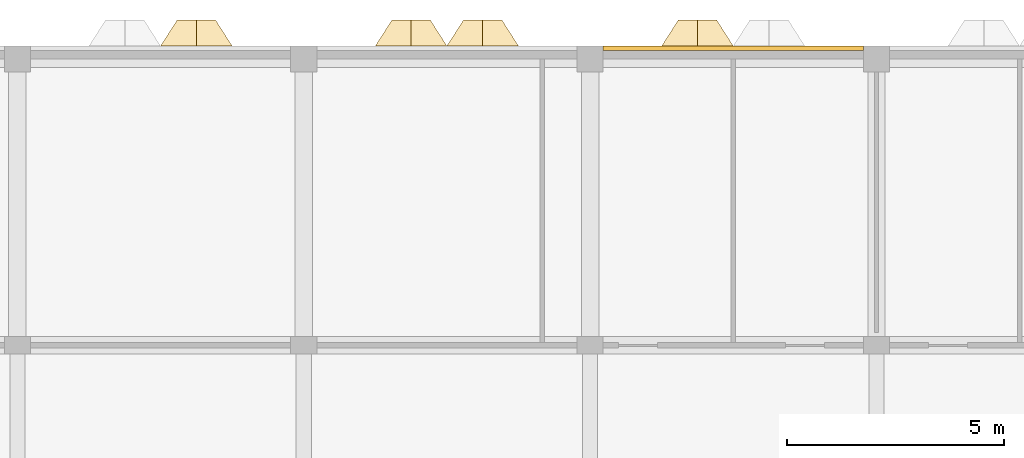
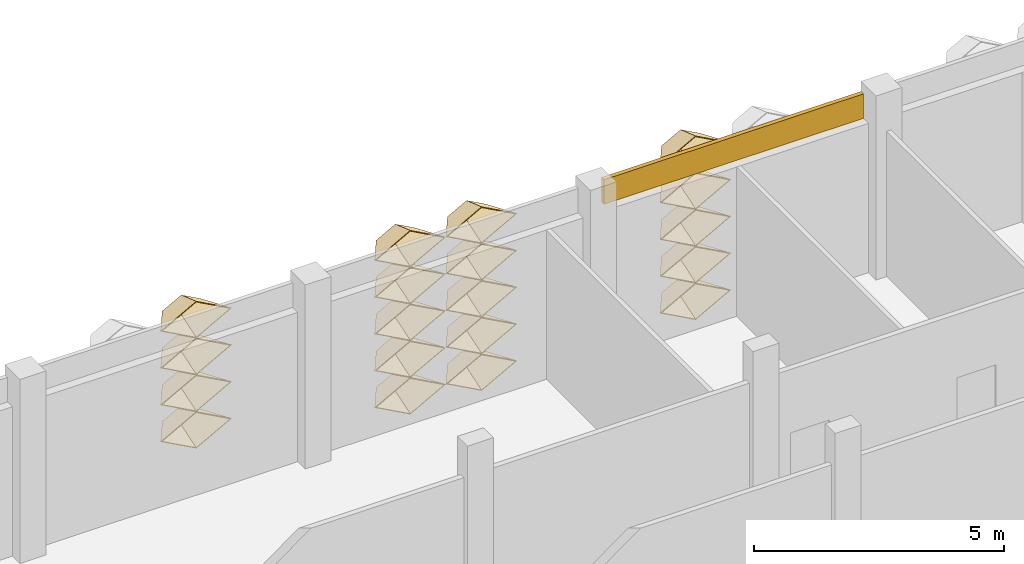
# One storey, part 93 of 109: 20 coverings.
"""IFC4 building model written with IfcOpenShell, lengths in metres."""

from ifc_helpers import new_model, entity, si_unit, direction, frame, frame_2d, origin, place, context, subcontext, project, spatial, rectangle, extrude, material, layer, layer_set, type_object, element, save


model = new_model("IFC4")

# Units and contexts
model_context = context("Model", 3, precision=1e-05, world=origin(), true_north=direction((0.0, 1.0)))
body_context = subcontext(model_context, "Body", "Model", "MODEL_VIEW")
ifc_project = project(units=[si_unit("LENGTHUNIT", "METRE"), si_unit("AREAUNIT", "SQUARE_METRE"), si_unit("VOLUMEUNIT", "CUBIC_METRE"), si_unit("PLANEANGLEUNIT", "RADIAN"), si_unit("MASSUNIT", "GRAM", prefix="KILO")], contexts=[model_context])

# Site, building, storey
site_placement = place(None, origin())
site = spatial("IfcSite", under=ifc_project, at=site_placement, CompositionType="ELEMENT")
building_placement = place(site_placement, origin())
building = spatial("IfcBuilding", under=site, at=building_placement, Name="Lantern Court Research Institute", CompositionType="ELEMENT")
storey_placement = place(building_placement, frame((0.0, 0.0, 14.39990234375)))
storey = spatial("IfcBuildingStorey", under=building, at=storey_placement, Name="L03", CompositionType="ELEMENT", Elevation=14.39990234375)

# Coverings
ifc_material_1 = material(Name="Aluminium composite panel with mineral wool insulation", Category="aluminium")
ifc_layer_1 = layer(ifc_material_1, 0.10009765625)
ifc_layer_set_1 = layer_set([ifc_layer_1], Name="Aluminium composite panel with mineral wool insulation")
covering_type_1 = type_object("IfcCoveringType", Name="Edge fascia panel 100 aluminium faced", PredefinedType="CLADDING", material=ifc_layer_set_1)
covering_1_placement = place(storey_placement, frame((33.300048828125, 99.25, 3.650146484375), z_axis=(0.0, 0.0, 1.0), x_axis=(1.0, 0.0, 0.0)))
element("IfcCovering", 1, at=covering_1_placement, inside=storey, type_object=covering_type_1, Name="Edge fascia V6N L03 05", PredefinedType="CLADDING", context=body_context, shape_type="SweptSolid", body=[
    extrude(rectangle(XDim=6.0, YDim=0.10009765625, at=frame_2d((3.0, 0.0))), origin(), (0.0, 0.0, 1.0), 0.599853515625),
])
ifc_material_2 = material(Name="Anodised aluminium", Category="aluminium")
ifc_layer_2 = layer(ifc_material_2, 0.01611328125)
ifc_layer_set_2 = layer_set([ifc_layer_2], Name="Anodised aluminium")
covering_type_2 = type_object("IfcCoveringType", Name="Fin cassette 1650 x 900 x 600 aluminium", PredefinedType="CLADDING", material=ifc_layer_set_2)
covering_2_placement = place(storey_placement, frame((28.875, 99.300048828125, 0.4501953125), z_axis=(0.0, 1.0, 0.0), x_axis=(-1.0, 0.0, 0.0)))
cartesian_point_1 = entity("IfcCartesianPoint", [0.824951171875, 0.0])
cartesian_point_2 = entity("IfcCartesianPoint", [0.79150390625, 0.0])
cartesian_point_3 = entity("IfcCartesianPoint", [0.44189453125, 0.0])
cartesian_point_4 = entity("IfcCartesianPoint", [0.43359375, 0.0])
element("IfcCovering", 2, at=covering_2_placement, inside=storey, type_object=covering_type_2, Name="Fin cassette V6N-L03 1.18", PredefinedType="CLADDING", context=body_context, shape_type="SweptSolid", body=[
    entity("IfcExtrudedAreaSolidTapered", entity("IfcArbitraryProfileDefWithVoids", "AREA", None, entity("IfcPolyline", [cartesian_point_1, entity("IfcCartesianPoint", [0.0, 0.449951171875]), entity("IfcCartesianPoint", [-0.824951171875, 0.0]), entity("IfcCartesianPoint", [0.0, -0.449951171875]), cartesian_point_1]), [entity("IfcPolyline", [cartesian_point_2, entity("IfcCartesianPoint", [0.0, 0.431884765625]), entity("IfcCartesianPoint", [-0.79150390625, 0.0]), entity("IfcCartesianPoint", [0.0, -0.431884765625]), cartesian_point_2])]), entity("IfcAxis2Placement3D", entity("IfcCartesianPoint", [0.0, 0.0, 0.0])), entity("IfcDirection", [0.0, 0.0, 1.0]), 0.60009765625, entity("IfcArbitraryProfileDefWithVoids", "AREA", None, entity("IfcPolyline", [cartesian_point_3, entity("IfcCartesianPoint", [0.0, 0.240966796875]), entity("IfcCartesianPoint", [-0.44189453125, 0.0]), entity("IfcCartesianPoint", [0.0, -0.240966796875]), cartesian_point_3]), [entity("IfcPolyline", [cartesian_point_4, entity("IfcCartesianPoint", [0.0, 0.236572265625]), entity("IfcCartesianPoint", [-0.43359375, 0.0]), entity("IfcCartesianPoint", [0.0, -0.236572265625]), cartesian_point_4])])),
])
covering_3_placement = place(storey_placement, frame((30.52490234375, 99.300048828125, 0.4501953125), z_axis=(0.0, 1.0, 0.0), x_axis=(-1.0, 0.0, 0.0)))
cartesian_point_5 = entity("IfcCartesianPoint", [0.824951171875, 0.0])
cartesian_point_6 = entity("IfcCartesianPoint", [0.79150390625, 0.0])
cartesian_point_7 = entity("IfcCartesianPoint", [0.44189453125, 0.0])
cartesian_point_8 = entity("IfcCartesianPoint", [0.43359375, 0.0])
element("IfcCovering", 3, at=covering_3_placement, inside=storey, type_object=covering_type_2, Name="Fin cassette V6N-L03 1.19", PredefinedType="CLADDING", context=body_context, shape_type="SweptSolid", body=[
    entity("IfcExtrudedAreaSolidTapered", entity("IfcArbitraryProfileDefWithVoids", "AREA", None, entity("IfcPolyline", [cartesian_point_5, entity("IfcCartesianPoint", [0.0, 0.449951171875]), entity("IfcCartesianPoint", [-0.824951171875, 0.0]), entity("IfcCartesianPoint", [0.0, -0.449951171875]), cartesian_point_5]), [entity("IfcPolyline", [cartesian_point_6, entity("IfcCartesianPoint", [0.0, 0.431884765625]), entity("IfcCartesianPoint", [-0.79150390625, 0.0]), entity("IfcCartesianPoint", [0.0, -0.431884765625]), cartesian_point_6])]), entity("IfcAxis2Placement3D", entity("IfcCartesianPoint", [0.0, 0.0, 0.0])), entity("IfcDirection", [0.0, 0.0, 1.0]), 0.60009765625, entity("IfcArbitraryProfileDefWithVoids", "AREA", None, entity("IfcPolyline", [cartesian_point_7, entity("IfcCartesianPoint", [0.0, 0.240966796875]), entity("IfcCartesianPoint", [-0.44189453125, 0.0]), entity("IfcCartesianPoint", [0.0, -0.240966796875]), cartesian_point_7]), [entity("IfcPolyline", [cartesian_point_8, entity("IfcCartesianPoint", [0.0, 0.236572265625]), entity("IfcCartesianPoint", [-0.43359375, 0.0]), entity("IfcCartesianPoint", [0.0, -0.236572265625]), cartesian_point_8])])),
])
covering_4_placement = place(storey_placement, frame((35.47509765625, 99.300048828125, 0.4501953125), z_axis=(0.0, 1.0, 0.0), x_axis=(-1.0, 0.0, 0.0)))
cartesian_point_9 = entity("IfcCartesianPoint", [0.824951171875, 0.0])
cartesian_point_10 = entity("IfcCartesianPoint", [0.79150390625, 0.0])
cartesian_point_11 = entity("IfcCartesianPoint", [0.44189453125, 0.0])
cartesian_point_12 = entity("IfcCartesianPoint", [0.43359375, 0.0])
element("IfcCovering", 4, at=covering_4_placement, inside=storey, type_object=covering_type_2, Name="Fin cassette V6N-L03 1.22", PredefinedType="CLADDING", context=body_context, shape_type="SweptSolid", body=[
    entity("IfcExtrudedAreaSolidTapered", entity("IfcArbitraryProfileDefWithVoids", "AREA", None, entity("IfcPolyline", [cartesian_point_9, entity("IfcCartesianPoint", [0.0, 0.449951171875]), entity("IfcCartesianPoint", [-0.824951171875, 0.0]), entity("IfcCartesianPoint", [0.0, -0.449951171875]), cartesian_point_9]), [entity("IfcPolyline", [cartesian_point_10, entity("IfcCartesianPoint", [0.0, 0.431884765625]), entity("IfcCartesianPoint", [-0.79150390625, 0.0]), entity("IfcCartesianPoint", [0.0, -0.431884765625]), cartesian_point_10])]), entity("IfcAxis2Placement3D", entity("IfcCartesianPoint", [0.0, 0.0, 0.0])), entity("IfcDirection", [0.0, 0.0, 1.0]), 0.60009765625, entity("IfcArbitraryProfileDefWithVoids", "AREA", None, entity("IfcPolyline", [cartesian_point_11, entity("IfcCartesianPoint", [0.0, 0.240966796875]), entity("IfcCartesianPoint", [-0.44189453125, 0.0]), entity("IfcCartesianPoint", [0.0, -0.240966796875]), cartesian_point_11]), [entity("IfcPolyline", [cartesian_point_12, entity("IfcCartesianPoint", [0.0, 0.236572265625]), entity("IfcCartesianPoint", [-0.43359375, 0.0]), entity("IfcCartesianPoint", [0.0, -0.236572265625]), cartesian_point_12])])),
])
covering_5_placement = place(storey_placement, frame((23.925048828125, 99.300048828125, 1.35009765625), z_axis=(0.0, 1.0, 0.0), x_axis=(-1.0, 0.0, 0.0)))
cartesian_point_13 = entity("IfcCartesianPoint", [0.824951171875, 0.0])
cartesian_point_14 = entity("IfcCartesianPoint", [0.79150390625, 0.0])
cartesian_point_15 = entity("IfcCartesianPoint", [0.44189453125, 0.0])
cartesian_point_16 = entity("IfcCartesianPoint", [0.43359375, 0.0])
element("IfcCovering", 5, at=covering_5_placement, inside=storey, type_object=covering_type_2, Name="Fin cassette V6N-L03 2.15", PredefinedType="CLADDING", context=body_context, shape_type="SweptSolid", body=[
    entity("IfcExtrudedAreaSolidTapered", entity("IfcArbitraryProfileDefWithVoids", "AREA", None, entity("IfcPolyline", [cartesian_point_13, entity("IfcCartesianPoint", [0.0, 0.449951171875]), entity("IfcCartesianPoint", [-0.824951171875, 0.0]), entity("IfcCartesianPoint", [0.0, -0.449951171875]), cartesian_point_13]), [entity("IfcPolyline", [cartesian_point_14, entity("IfcCartesianPoint", [0.0, 0.431884765625]), entity("IfcCartesianPoint", [-0.79150390625, 0.0]), entity("IfcCartesianPoint", [0.0, -0.431884765625]), cartesian_point_14])]), entity("IfcAxis2Placement3D", entity("IfcCartesianPoint", [0.0, 0.0, 0.0])), entity("IfcDirection", [0.0, 0.0, 1.0]), 0.60009765625, entity("IfcArbitraryProfileDefWithVoids", "AREA", None, entity("IfcPolyline", [cartesian_point_15, entity("IfcCartesianPoint", [0.0, 0.240966796875]), entity("IfcCartesianPoint", [-0.44189453125, 0.0]), entity("IfcCartesianPoint", [0.0, -0.240966796875]), cartesian_point_15]), [entity("IfcPolyline", [cartesian_point_16, entity("IfcCartesianPoint", [0.0, 0.236572265625]), entity("IfcCartesianPoint", [-0.43359375, 0.0]), entity("IfcCartesianPoint", [0.0, -0.236572265625]), cartesian_point_16])])),
])
covering_6_placement = place(storey_placement, frame((28.875, 99.300048828125, 1.35009765625), z_axis=(0.0, 1.0, 0.0), x_axis=(-1.0, 0.0, 0.0)))
cartesian_point_17 = entity("IfcCartesianPoint", [0.824951171875, 0.0])
cartesian_point_18 = entity("IfcCartesianPoint", [0.79150390625, 0.0])
cartesian_point_19 = entity("IfcCartesianPoint", [0.44189453125, 0.0])
cartesian_point_20 = entity("IfcCartesianPoint", [0.43359375, 0.0])
element("IfcCovering", 6, at=covering_6_placement, inside=storey, type_object=covering_type_2, Name="Fin cassette V6N-L03 2.18", PredefinedType="CLADDING", context=body_context, shape_type="SweptSolid", body=[
    entity("IfcExtrudedAreaSolidTapered", entity("IfcArbitraryProfileDefWithVoids", "AREA", None, entity("IfcPolyline", [cartesian_point_17, entity("IfcCartesianPoint", [0.0, 0.449951171875]), entity("IfcCartesianPoint", [-0.824951171875, 0.0]), entity("IfcCartesianPoint", [0.0, -0.449951171875]), cartesian_point_17]), [entity("IfcPolyline", [cartesian_point_18, entity("IfcCartesianPoint", [0.0, 0.431884765625]), entity("IfcCartesianPoint", [-0.79150390625, 0.0]), entity("IfcCartesianPoint", [0.0, -0.431884765625]), cartesian_point_18])]), entity("IfcAxis2Placement3D", entity("IfcCartesianPoint", [0.0, 0.0, 0.0])), entity("IfcDirection", [0.0, 0.0, 1.0]), 0.60009765625, entity("IfcArbitraryProfileDefWithVoids", "AREA", None, entity("IfcPolyline", [cartesian_point_19, entity("IfcCartesianPoint", [0.0, 0.240966796875]), entity("IfcCartesianPoint", [-0.44189453125, 0.0]), entity("IfcCartesianPoint", [0.0, -0.240966796875]), cartesian_point_19]), [entity("IfcPolyline", [cartesian_point_20, entity("IfcCartesianPoint", [0.0, 0.236572265625]), entity("IfcCartesianPoint", [-0.43359375, 0.0]), entity("IfcCartesianPoint", [0.0, -0.236572265625]), cartesian_point_20])])),
])
covering_7_placement = place(storey_placement, frame((30.52490234375, 99.300048828125, 1.35009765625), z_axis=(0.0, 1.0, 0.0), x_axis=(-1.0, 0.0, 0.0)))
cartesian_point_21 = entity("IfcCartesianPoint", [0.824951171875, 0.0])
cartesian_point_22 = entity("IfcCartesianPoint", [0.79150390625, 0.0])
cartesian_point_23 = entity("IfcCartesianPoint", [0.44189453125, 0.0])
cartesian_point_24 = entity("IfcCartesianPoint", [0.43359375, 0.0])
element("IfcCovering", 7, at=covering_7_placement, inside=storey, type_object=covering_type_2, Name="Fin cassette V6N-L03 2.19", PredefinedType="CLADDING", context=body_context, shape_type="SweptSolid", body=[
    entity("IfcExtrudedAreaSolidTapered", entity("IfcArbitraryProfileDefWithVoids", "AREA", None, entity("IfcPolyline", [cartesian_point_21, entity("IfcCartesianPoint", [0.0, 0.449951171875]), entity("IfcCartesianPoint", [-0.824951171875, 0.0]), entity("IfcCartesianPoint", [0.0, -0.449951171875]), cartesian_point_21]), [entity("IfcPolyline", [cartesian_point_22, entity("IfcCartesianPoint", [0.0, 0.431884765625]), entity("IfcCartesianPoint", [-0.79150390625, 0.0]), entity("IfcCartesianPoint", [0.0, -0.431884765625]), cartesian_point_22])]), entity("IfcAxis2Placement3D", entity("IfcCartesianPoint", [0.0, 0.0, 0.0])), entity("IfcDirection", [0.0, 0.0, 1.0]), 0.60009765625, entity("IfcArbitraryProfileDefWithVoids", "AREA", None, entity("IfcPolyline", [cartesian_point_23, entity("IfcCartesianPoint", [0.0, 0.240966796875]), entity("IfcCartesianPoint", [-0.44189453125, 0.0]), entity("IfcCartesianPoint", [0.0, -0.240966796875]), cartesian_point_23]), [entity("IfcPolyline", [cartesian_point_24, entity("IfcCartesianPoint", [0.0, 0.236572265625]), entity("IfcCartesianPoint", [-0.43359375, 0.0]), entity("IfcCartesianPoint", [0.0, -0.236572265625]), cartesian_point_24])])),
])
covering_8_placement = place(storey_placement, frame((35.47509765625, 99.300048828125, 1.35009765625), z_axis=(0.0, 1.0, 0.0), x_axis=(-1.0, 0.0, 0.0)))
cartesian_point_25 = entity("IfcCartesianPoint", [0.824951171875, 0.0])
cartesian_point_26 = entity("IfcCartesianPoint", [0.79150390625, 0.0])
cartesian_point_27 = entity("IfcCartesianPoint", [0.44189453125, 0.0])
cartesian_point_28 = entity("IfcCartesianPoint", [0.43359375, 0.0])
element("IfcCovering", 8, at=covering_8_placement, inside=storey, type_object=covering_type_2, Name="Fin cassette V6N-L03 2.22", PredefinedType="CLADDING", context=body_context, shape_type="SweptSolid", body=[
    entity("IfcExtrudedAreaSolidTapered", entity("IfcArbitraryProfileDefWithVoids", "AREA", None, entity("IfcPolyline", [cartesian_point_25, entity("IfcCartesianPoint", [0.0, 0.449951171875]), entity("IfcCartesianPoint", [-0.824951171875, 0.0]), entity("IfcCartesianPoint", [0.0, -0.449951171875]), cartesian_point_25]), [entity("IfcPolyline", [cartesian_point_26, entity("IfcCartesianPoint", [0.0, 0.431884765625]), entity("IfcCartesianPoint", [-0.79150390625, 0.0]), entity("IfcCartesianPoint", [0.0, -0.431884765625]), cartesian_point_26])]), entity("IfcAxis2Placement3D", entity("IfcCartesianPoint", [0.0, 0.0, 0.0])), entity("IfcDirection", [0.0, 0.0, 1.0]), 0.60009765625, entity("IfcArbitraryProfileDefWithVoids", "AREA", None, entity("IfcPolyline", [cartesian_point_27, entity("IfcCartesianPoint", [0.0, 0.240966796875]), entity("IfcCartesianPoint", [-0.44189453125, 0.0]), entity("IfcCartesianPoint", [0.0, -0.240966796875]), cartesian_point_27]), [entity("IfcPolyline", [cartesian_point_28, entity("IfcCartesianPoint", [0.0, 0.236572265625]), entity("IfcCartesianPoint", [-0.43359375, 0.0]), entity("IfcCartesianPoint", [0.0, -0.236572265625]), cartesian_point_28])])),
])
covering_9_placement = place(storey_placement, frame((23.925048828125, 99.300048828125, 2.25), z_axis=(0.0, 1.0, 0.0), x_axis=(-1.0, 0.0, 0.0)))
cartesian_point_29 = entity("IfcCartesianPoint", [0.824951171875, 0.0])
cartesian_point_30 = entity("IfcCartesianPoint", [0.79150390625, 0.0])
cartesian_point_31 = entity("IfcCartesianPoint", [0.44189453125, 0.0])
cartesian_point_32 = entity("IfcCartesianPoint", [0.43359375, 0.0])
element("IfcCovering", 9, at=covering_9_placement, inside=storey, type_object=covering_type_2, Name="Fin cassette V6N-L03 3.15", PredefinedType="CLADDING", context=body_context, shape_type="SweptSolid", body=[
    entity("IfcExtrudedAreaSolidTapered", entity("IfcArbitraryProfileDefWithVoids", "AREA", None, entity("IfcPolyline", [cartesian_point_29, entity("IfcCartesianPoint", [0.0, 0.449951171875]), entity("IfcCartesianPoint", [-0.824951171875, 0.0]), entity("IfcCartesianPoint", [0.0, -0.449951171875]), cartesian_point_29]), [entity("IfcPolyline", [cartesian_point_30, entity("IfcCartesianPoint", [0.0, 0.431884765625]), entity("IfcCartesianPoint", [-0.79150390625, 0.0]), entity("IfcCartesianPoint", [0.0, -0.431884765625]), cartesian_point_30])]), entity("IfcAxis2Placement3D", entity("IfcCartesianPoint", [0.0, 0.0, 0.0])), entity("IfcDirection", [0.0, 0.0, 1.0]), 0.60009765625, entity("IfcArbitraryProfileDefWithVoids", "AREA", None, entity("IfcPolyline", [cartesian_point_31, entity("IfcCartesianPoint", [0.0, 0.240966796875]), entity("IfcCartesianPoint", [-0.44189453125, 0.0]), entity("IfcCartesianPoint", [0.0, -0.240966796875]), cartesian_point_31]), [entity("IfcPolyline", [cartesian_point_32, entity("IfcCartesianPoint", [0.0, 0.236572265625]), entity("IfcCartesianPoint", [-0.43359375, 0.0]), entity("IfcCartesianPoint", [0.0, -0.236572265625]), cartesian_point_32])])),
])
covering_10_placement = place(storey_placement, frame((28.875, 99.300048828125, 2.25), z_axis=(0.0, 1.0, 0.0), x_axis=(-1.0, 0.0, 0.0)))
cartesian_point_33 = entity("IfcCartesianPoint", [0.824951171875, 0.0])
cartesian_point_34 = entity("IfcCartesianPoint", [0.79150390625, 0.0])
cartesian_point_35 = entity("IfcCartesianPoint", [0.44189453125, 0.0])
cartesian_point_36 = entity("IfcCartesianPoint", [0.43359375, 0.0])
element("IfcCovering", 10, at=covering_10_placement, inside=storey, type_object=covering_type_2, Name="Fin cassette V6N-L03 3.18", PredefinedType="CLADDING", context=body_context, shape_type="SweptSolid", body=[
    entity("IfcExtrudedAreaSolidTapered", entity("IfcArbitraryProfileDefWithVoids", "AREA", None, entity("IfcPolyline", [cartesian_point_33, entity("IfcCartesianPoint", [0.0, 0.449951171875]), entity("IfcCartesianPoint", [-0.824951171875, 0.0]), entity("IfcCartesianPoint", [0.0, -0.449951171875]), cartesian_point_33]), [entity("IfcPolyline", [cartesian_point_34, entity("IfcCartesianPoint", [0.0, 0.431884765625]), entity("IfcCartesianPoint", [-0.79150390625, 0.0]), entity("IfcCartesianPoint", [0.0, -0.431884765625]), cartesian_point_34])]), entity("IfcAxis2Placement3D", entity("IfcCartesianPoint", [0.0, 0.0, 0.0])), entity("IfcDirection", [0.0, 0.0, 1.0]), 0.60009765625, entity("IfcArbitraryProfileDefWithVoids", "AREA", None, entity("IfcPolyline", [cartesian_point_35, entity("IfcCartesianPoint", [0.0, 0.240966796875]), entity("IfcCartesianPoint", [-0.44189453125, 0.0]), entity("IfcCartesianPoint", [0.0, -0.240966796875]), cartesian_point_35]), [entity("IfcPolyline", [cartesian_point_36, entity("IfcCartesianPoint", [0.0, 0.236572265625]), entity("IfcCartesianPoint", [-0.43359375, 0.0]), entity("IfcCartesianPoint", [0.0, -0.236572265625]), cartesian_point_36])])),
])
covering_11_placement = place(storey_placement, frame((30.52490234375, 99.300048828125, 2.25), z_axis=(0.0, 1.0, 0.0), x_axis=(-1.0, 0.0, 0.0)))
cartesian_point_37 = entity("IfcCartesianPoint", [0.824951171875, 0.0])
cartesian_point_38 = entity("IfcCartesianPoint", [0.79150390625, 0.0])
cartesian_point_39 = entity("IfcCartesianPoint", [0.44189453125, 0.0])
cartesian_point_40 = entity("IfcCartesianPoint", [0.43359375, 0.0])
element("IfcCovering", 11, at=covering_11_placement, inside=storey, type_object=covering_type_2, Name="Fin cassette V6N-L03 3.19", PredefinedType="CLADDING", context=body_context, shape_type="SweptSolid", body=[
    entity("IfcExtrudedAreaSolidTapered", entity("IfcArbitraryProfileDefWithVoids", "AREA", None, entity("IfcPolyline", [cartesian_point_37, entity("IfcCartesianPoint", [0.0, 0.449951171875]), entity("IfcCartesianPoint", [-0.824951171875, 0.0]), entity("IfcCartesianPoint", [0.0, -0.449951171875]), cartesian_point_37]), [entity("IfcPolyline", [cartesian_point_38, entity("IfcCartesianPoint", [0.0, 0.431884765625]), entity("IfcCartesianPoint", [-0.79150390625, 0.0]), entity("IfcCartesianPoint", [0.0, -0.431884765625]), cartesian_point_38])]), entity("IfcAxis2Placement3D", entity("IfcCartesianPoint", [0.0, 0.0, 0.0])), entity("IfcDirection", [0.0, 0.0, 1.0]), 0.60009765625, entity("IfcArbitraryProfileDefWithVoids", "AREA", None, entity("IfcPolyline", [cartesian_point_39, entity("IfcCartesianPoint", [0.0, 0.240966796875]), entity("IfcCartesianPoint", [-0.44189453125, 0.0]), entity("IfcCartesianPoint", [0.0, -0.240966796875]), cartesian_point_39]), [entity("IfcPolyline", [cartesian_point_40, entity("IfcCartesianPoint", [0.0, 0.236572265625]), entity("IfcCartesianPoint", [-0.43359375, 0.0]), entity("IfcCartesianPoint", [0.0, -0.236572265625]), cartesian_point_40])])),
])
covering_12_placement = place(storey_placement, frame((35.47509765625, 99.300048828125, 2.25), z_axis=(0.0, 1.0, 0.0), x_axis=(-1.0, 0.0, 0.0)))
cartesian_point_41 = entity("IfcCartesianPoint", [0.824951171875, 0.0])
cartesian_point_42 = entity("IfcCartesianPoint", [0.79150390625, 0.0])
cartesian_point_43 = entity("IfcCartesianPoint", [0.44189453125, 0.0])
cartesian_point_44 = entity("IfcCartesianPoint", [0.43359375, 0.0])
element("IfcCovering", 12, at=covering_12_placement, inside=storey, type_object=covering_type_2, Name="Fin cassette V6N-L03 3.22", PredefinedType="CLADDING", context=body_context, shape_type="SweptSolid", body=[
    entity("IfcExtrudedAreaSolidTapered", entity("IfcArbitraryProfileDefWithVoids", "AREA", None, entity("IfcPolyline", [cartesian_point_41, entity("IfcCartesianPoint", [0.0, 0.449951171875]), entity("IfcCartesianPoint", [-0.824951171875, 0.0]), entity("IfcCartesianPoint", [0.0, -0.449951171875]), cartesian_point_41]), [entity("IfcPolyline", [cartesian_point_42, entity("IfcCartesianPoint", [0.0, 0.431884765625]), entity("IfcCartesianPoint", [-0.79150390625, 0.0]), entity("IfcCartesianPoint", [0.0, -0.431884765625]), cartesian_point_42])]), entity("IfcAxis2Placement3D", entity("IfcCartesianPoint", [0.0, 0.0, 0.0])), entity("IfcDirection", [0.0, 0.0, 1.0]), 0.60009765625, entity("IfcArbitraryProfileDefWithVoids", "AREA", None, entity("IfcPolyline", [cartesian_point_43, entity("IfcCartesianPoint", [0.0, 0.240966796875]), entity("IfcCartesianPoint", [-0.44189453125, 0.0]), entity("IfcCartesianPoint", [0.0, -0.240966796875]), cartesian_point_43]), [entity("IfcPolyline", [cartesian_point_44, entity("IfcCartesianPoint", [0.0, 0.236572265625]), entity("IfcCartesianPoint", [-0.43359375, 0.0]), entity("IfcCartesianPoint", [0.0, -0.236572265625]), cartesian_point_44])])),
])
covering_13_placement = place(storey_placement, frame((23.925048828125, 99.300048828125, 3.150146484375), z_axis=(0.0, 1.0, 0.0), x_axis=(-1.0, 0.0, 0.0)))
cartesian_point_45 = entity("IfcCartesianPoint", [0.824951171875, 0.0])
cartesian_point_46 = entity("IfcCartesianPoint", [0.79150390625, 0.0])
cartesian_point_47 = entity("IfcCartesianPoint", [0.44189453125, 0.0])
cartesian_point_48 = entity("IfcCartesianPoint", [0.43359375, 0.0])
element("IfcCovering", 13, at=covering_13_placement, inside=storey, type_object=covering_type_2, Name="Fin cassette V6N-L03 4.15", PredefinedType="CLADDING", context=body_context, shape_type="SweptSolid", body=[
    entity("IfcExtrudedAreaSolidTapered", entity("IfcArbitraryProfileDefWithVoids", "AREA", None, entity("IfcPolyline", [cartesian_point_45, entity("IfcCartesianPoint", [0.0, 0.449951171875]), entity("IfcCartesianPoint", [-0.824951171875, 0.0]), entity("IfcCartesianPoint", [0.0, -0.449951171875]), cartesian_point_45]), [entity("IfcPolyline", [cartesian_point_46, entity("IfcCartesianPoint", [0.0, 0.431884765625]), entity("IfcCartesianPoint", [-0.79150390625, 0.0]), entity("IfcCartesianPoint", [0.0, -0.431884765625]), cartesian_point_46])]), entity("IfcAxis2Placement3D", entity("IfcCartesianPoint", [0.0, 0.0, 0.0])), entity("IfcDirection", [0.0, 0.0, 1.0]), 0.60009765625, entity("IfcArbitraryProfileDefWithVoids", "AREA", None, entity("IfcPolyline", [cartesian_point_47, entity("IfcCartesianPoint", [0.0, 0.240966796875]), entity("IfcCartesianPoint", [-0.44189453125, 0.0]), entity("IfcCartesianPoint", [0.0, -0.240966796875]), cartesian_point_47]), [entity("IfcPolyline", [cartesian_point_48, entity("IfcCartesianPoint", [0.0, 0.236572265625]), entity("IfcCartesianPoint", [-0.43359375, 0.0]), entity("IfcCartesianPoint", [0.0, -0.236572265625]), cartesian_point_48])])),
])
covering_14_placement = place(storey_placement, frame((28.875, 99.300048828125, 3.150146484375), z_axis=(0.0, 1.0, 0.0), x_axis=(-1.0, 0.0, 0.0)))
cartesian_point_49 = entity("IfcCartesianPoint", [0.824951171875, 0.0])
cartesian_point_50 = entity("IfcCartesianPoint", [0.79150390625, 0.0])
cartesian_point_51 = entity("IfcCartesianPoint", [0.44189453125, 0.0])
cartesian_point_52 = entity("IfcCartesianPoint", [0.43359375, 0.0])
element("IfcCovering", 14, at=covering_14_placement, inside=storey, type_object=covering_type_2, Name="Fin cassette V6N-L03 4.18", PredefinedType="CLADDING", context=body_context, shape_type="SweptSolid", body=[
    entity("IfcExtrudedAreaSolidTapered", entity("IfcArbitraryProfileDefWithVoids", "AREA", None, entity("IfcPolyline", [cartesian_point_49, entity("IfcCartesianPoint", [0.0, 0.449951171875]), entity("IfcCartesianPoint", [-0.824951171875, 0.0]), entity("IfcCartesianPoint", [0.0, -0.449951171875]), cartesian_point_49]), [entity("IfcPolyline", [cartesian_point_50, entity("IfcCartesianPoint", [0.0, 0.431884765625]), entity("IfcCartesianPoint", [-0.79150390625, 0.0]), entity("IfcCartesianPoint", [0.0, -0.431884765625]), cartesian_point_50])]), entity("IfcAxis2Placement3D", entity("IfcCartesianPoint", [0.0, 0.0, 0.0])), entity("IfcDirection", [0.0, 0.0, 1.0]), 0.60009765625, entity("IfcArbitraryProfileDefWithVoids", "AREA", None, entity("IfcPolyline", [cartesian_point_51, entity("IfcCartesianPoint", [0.0, 0.240966796875]), entity("IfcCartesianPoint", [-0.44189453125, 0.0]), entity("IfcCartesianPoint", [0.0, -0.240966796875]), cartesian_point_51]), [entity("IfcPolyline", [cartesian_point_52, entity("IfcCartesianPoint", [0.0, 0.236572265625]), entity("IfcCartesianPoint", [-0.43359375, 0.0]), entity("IfcCartesianPoint", [0.0, -0.236572265625]), cartesian_point_52])])),
])
covering_15_placement = place(storey_placement, frame((30.52490234375, 99.300048828125, 3.150146484375), z_axis=(0.0, 1.0, 0.0), x_axis=(-1.0, 0.0, 0.0)))
cartesian_point_53 = entity("IfcCartesianPoint", [0.824951171875, 0.0])
cartesian_point_54 = entity("IfcCartesianPoint", [0.79150390625, 0.0])
cartesian_point_55 = entity("IfcCartesianPoint", [0.44189453125, 0.0])
cartesian_point_56 = entity("IfcCartesianPoint", [0.43359375, 0.0])
element("IfcCovering", 15, at=covering_15_placement, inside=storey, type_object=covering_type_2, Name="Fin cassette V6N-L03 4.19", PredefinedType="CLADDING", context=body_context, shape_type="SweptSolid", body=[
    entity("IfcExtrudedAreaSolidTapered", entity("IfcArbitraryProfileDefWithVoids", "AREA", None, entity("IfcPolyline", [cartesian_point_53, entity("IfcCartesianPoint", [0.0, 0.449951171875]), entity("IfcCartesianPoint", [-0.824951171875, 0.0]), entity("IfcCartesianPoint", [0.0, -0.449951171875]), cartesian_point_53]), [entity("IfcPolyline", [cartesian_point_54, entity("IfcCartesianPoint", [0.0, 0.431884765625]), entity("IfcCartesianPoint", [-0.79150390625, 0.0]), entity("IfcCartesianPoint", [0.0, -0.431884765625]), cartesian_point_54])]), entity("IfcAxis2Placement3D", entity("IfcCartesianPoint", [0.0, 0.0, 0.0])), entity("IfcDirection", [0.0, 0.0, 1.0]), 0.60009765625, entity("IfcArbitraryProfileDefWithVoids", "AREA", None, entity("IfcPolyline", [cartesian_point_55, entity("IfcCartesianPoint", [0.0, 0.240966796875]), entity("IfcCartesianPoint", [-0.44189453125, 0.0]), entity("IfcCartesianPoint", [0.0, -0.240966796875]), cartesian_point_55]), [entity("IfcPolyline", [cartesian_point_56, entity("IfcCartesianPoint", [0.0, 0.236572265625]), entity("IfcCartesianPoint", [-0.43359375, 0.0]), entity("IfcCartesianPoint", [0.0, -0.236572265625]), cartesian_point_56])])),
])
covering_16_placement = place(storey_placement, frame((35.47509765625, 99.300048828125, 3.150146484375), z_axis=(0.0, 1.0, 0.0), x_axis=(-1.0, 0.0, 0.0)))
cartesian_point_57 = entity("IfcCartesianPoint", [0.824951171875, 0.0])
cartesian_point_58 = entity("IfcCartesianPoint", [0.79150390625, 0.0])
cartesian_point_59 = entity("IfcCartesianPoint", [0.44189453125, 0.0])
cartesian_point_60 = entity("IfcCartesianPoint", [0.43359375, 0.0])
element("IfcCovering", 16, at=covering_16_placement, inside=storey, type_object=covering_type_2, Name="Fin cassette V6N-L03 4.22", PredefinedType="CLADDING", context=body_context, shape_type="SweptSolid", body=[
    entity("IfcExtrudedAreaSolidTapered", entity("IfcArbitraryProfileDefWithVoids", "AREA", None, entity("IfcPolyline", [cartesian_point_57, entity("IfcCartesianPoint", [0.0, 0.449951171875]), entity("IfcCartesianPoint", [-0.824951171875, 0.0]), entity("IfcCartesianPoint", [0.0, -0.449951171875]), cartesian_point_57]), [entity("IfcPolyline", [cartesian_point_58, entity("IfcCartesianPoint", [0.0, 0.431884765625]), entity("IfcCartesianPoint", [-0.79150390625, 0.0]), entity("IfcCartesianPoint", [0.0, -0.431884765625]), cartesian_point_58])]), entity("IfcAxis2Placement3D", entity("IfcCartesianPoint", [0.0, 0.0, 0.0])), entity("IfcDirection", [0.0, 0.0, 1.0]), 0.60009765625, entity("IfcArbitraryProfileDefWithVoids", "AREA", None, entity("IfcPolyline", [cartesian_point_59, entity("IfcCartesianPoint", [0.0, 0.240966796875]), entity("IfcCartesianPoint", [-0.44189453125, 0.0]), entity("IfcCartesianPoint", [0.0, -0.240966796875]), cartesian_point_59]), [entity("IfcPolyline", [cartesian_point_60, entity("IfcCartesianPoint", [0.0, 0.236572265625]), entity("IfcCartesianPoint", [-0.43359375, 0.0]), entity("IfcCartesianPoint", [0.0, -0.236572265625]), cartesian_point_60])])),
])
covering_17_placement = place(storey_placement, frame((23.925048828125, 99.300048828125, 4.050048828125), z_axis=(0.0, 1.0, 0.0), x_axis=(-1.0, 0.0, 0.0)))
cartesian_point_61 = entity("IfcCartesianPoint", [0.824951171875, 0.0])
cartesian_point_62 = entity("IfcCartesianPoint", [0.79150390625, 0.0])
cartesian_point_63 = entity("IfcCartesianPoint", [0.44189453125, 0.0])
cartesian_point_64 = entity("IfcCartesianPoint", [0.43359375, 0.0])
element("IfcCovering", 17, at=covering_17_placement, inside=storey, type_object=covering_type_2, Name="Fin cassette V6N-L03 5.15", PredefinedType="CLADDING", context=body_context, shape_type="SweptSolid", body=[
    entity("IfcExtrudedAreaSolidTapered", entity("IfcArbitraryProfileDefWithVoids", "AREA", None, entity("IfcPolyline", [cartesian_point_61, entity("IfcCartesianPoint", [0.0, 0.449951171875]), entity("IfcCartesianPoint", [-0.824951171875, 0.0]), entity("IfcCartesianPoint", [0.0, -0.449951171875]), cartesian_point_61]), [entity("IfcPolyline", [cartesian_point_62, entity("IfcCartesianPoint", [0.0, 0.431884765625]), entity("IfcCartesianPoint", [-0.79150390625, 0.0]), entity("IfcCartesianPoint", [0.0, -0.431884765625]), cartesian_point_62])]), entity("IfcAxis2Placement3D", entity("IfcCartesianPoint", [0.0, 0.0, 0.0])), entity("IfcDirection", [0.0, 0.0, 1.0]), 0.60009765625, entity("IfcArbitraryProfileDefWithVoids", "AREA", None, entity("IfcPolyline", [cartesian_point_63, entity("IfcCartesianPoint", [0.0, 0.240966796875]), entity("IfcCartesianPoint", [-0.44189453125, 0.0]), entity("IfcCartesianPoint", [0.0, -0.240966796875]), cartesian_point_63]), [entity("IfcPolyline", [cartesian_point_64, entity("IfcCartesianPoint", [0.0, 0.236572265625]), entity("IfcCartesianPoint", [-0.43359375, 0.0]), entity("IfcCartesianPoint", [0.0, -0.236572265625]), cartesian_point_64])])),
])
covering_18_placement = place(storey_placement, frame((28.875, 99.300048828125, 4.050048828125), z_axis=(0.0, 1.0, 0.0), x_axis=(-1.0, 0.0, 0.0)))
cartesian_point_65 = entity("IfcCartesianPoint", [0.824951171875, 0.0])
cartesian_point_66 = entity("IfcCartesianPoint", [0.79150390625, 0.0])
cartesian_point_67 = entity("IfcCartesianPoint", [0.44189453125, 0.0])
cartesian_point_68 = entity("IfcCartesianPoint", [0.43359375, 0.0])
element("IfcCovering", 18, at=covering_18_placement, inside=storey, type_object=covering_type_2, Name="Fin cassette V6N-L03 5.18", PredefinedType="CLADDING", context=body_context, shape_type="SweptSolid", body=[
    entity("IfcExtrudedAreaSolidTapered", entity("IfcArbitraryProfileDefWithVoids", "AREA", None, entity("IfcPolyline", [cartesian_point_65, entity("IfcCartesianPoint", [0.0, 0.449951171875]), entity("IfcCartesianPoint", [-0.824951171875, 0.0]), entity("IfcCartesianPoint", [0.0, -0.449951171875]), cartesian_point_65]), [entity("IfcPolyline", [cartesian_point_66, entity("IfcCartesianPoint", [0.0, 0.431884765625]), entity("IfcCartesianPoint", [-0.79150390625, 0.0]), entity("IfcCartesianPoint", [0.0, -0.431884765625]), cartesian_point_66])]), entity("IfcAxis2Placement3D", entity("IfcCartesianPoint", [0.0, 0.0, 0.0])), entity("IfcDirection", [0.0, 0.0, 1.0]), 0.60009765625, entity("IfcArbitraryProfileDefWithVoids", "AREA", None, entity("IfcPolyline", [cartesian_point_67, entity("IfcCartesianPoint", [0.0, 0.240966796875]), entity("IfcCartesianPoint", [-0.44189453125, 0.0]), entity("IfcCartesianPoint", [0.0, -0.240966796875]), cartesian_point_67]), [entity("IfcPolyline", [cartesian_point_68, entity("IfcCartesianPoint", [0.0, 0.236572265625]), entity("IfcCartesianPoint", [-0.43359375, 0.0]), entity("IfcCartesianPoint", [0.0, -0.236572265625]), cartesian_point_68])])),
])
covering_19_placement = place(storey_placement, frame((30.52490234375, 99.300048828125, 4.050048828125), z_axis=(0.0, 1.0, 0.0), x_axis=(-1.0, 0.0, 0.0)))
cartesian_point_69 = entity("IfcCartesianPoint", [0.824951171875, 0.0])
cartesian_point_70 = entity("IfcCartesianPoint", [0.79150390625, 0.0])
cartesian_point_71 = entity("IfcCartesianPoint", [0.44189453125, 0.0])
cartesian_point_72 = entity("IfcCartesianPoint", [0.43359375, 0.0])
element("IfcCovering", 19, at=covering_19_placement, inside=storey, type_object=covering_type_2, Name="Fin cassette V6N-L03 5.19", PredefinedType="CLADDING", context=body_context, shape_type="SweptSolid", body=[
    entity("IfcExtrudedAreaSolidTapered", entity("IfcArbitraryProfileDefWithVoids", "AREA", None, entity("IfcPolyline", [cartesian_point_69, entity("IfcCartesianPoint", [0.0, 0.449951171875]), entity("IfcCartesianPoint", [-0.824951171875, 0.0]), entity("IfcCartesianPoint", [0.0, -0.449951171875]), cartesian_point_69]), [entity("IfcPolyline", [cartesian_point_70, entity("IfcCartesianPoint", [0.0, 0.431884765625]), entity("IfcCartesianPoint", [-0.79150390625, 0.0]), entity("IfcCartesianPoint", [0.0, -0.431884765625]), cartesian_point_70])]), entity("IfcAxis2Placement3D", entity("IfcCartesianPoint", [0.0, 0.0, 0.0])), entity("IfcDirection", [0.0, 0.0, 1.0]), 0.60009765625, entity("IfcArbitraryProfileDefWithVoids", "AREA", None, entity("IfcPolyline", [cartesian_point_71, entity("IfcCartesianPoint", [0.0, 0.240966796875]), entity("IfcCartesianPoint", [-0.44189453125, 0.0]), entity("IfcCartesianPoint", [0.0, -0.240966796875]), cartesian_point_71]), [entity("IfcPolyline", [cartesian_point_72, entity("IfcCartesianPoint", [0.0, 0.236572265625]), entity("IfcCartesianPoint", [-0.43359375, 0.0]), entity("IfcCartesianPoint", [0.0, -0.236572265625]), cartesian_point_72])])),
])
covering_20_placement = place(storey_placement, frame((35.47509765625, 99.300048828125, 4.050048828125), z_axis=(0.0, 1.0, 0.0), x_axis=(-1.0, 0.0, 0.0)))
cartesian_point_73 = entity("IfcCartesianPoint", [0.824951171875, 0.0])
cartesian_point_74 = entity("IfcCartesianPoint", [0.79150390625, 0.0])
cartesian_point_75 = entity("IfcCartesianPoint", [0.44189453125, 0.0])
cartesian_point_76 = entity("IfcCartesianPoint", [0.43359375, 0.0])
element("IfcCovering", 20, at=covering_20_placement, inside=storey, type_object=covering_type_2, Name="Fin cassette V6N-L03 5.22", PredefinedType="CLADDING", context=body_context, shape_type="SweptSolid", body=[
    entity("IfcExtrudedAreaSolidTapered", entity("IfcArbitraryProfileDefWithVoids", "AREA", None, entity("IfcPolyline", [cartesian_point_73, entity("IfcCartesianPoint", [0.0, 0.449951171875]), entity("IfcCartesianPoint", [-0.824951171875, 0.0]), entity("IfcCartesianPoint", [0.0, -0.449951171875]), cartesian_point_73]), [entity("IfcPolyline", [cartesian_point_74, entity("IfcCartesianPoint", [0.0, 0.431884765625]), entity("IfcCartesianPoint", [-0.79150390625, 0.0]), entity("IfcCartesianPoint", [0.0, -0.431884765625]), cartesian_point_74])]), entity("IfcAxis2Placement3D", entity("IfcCartesianPoint", [0.0, 0.0, 0.0])), entity("IfcDirection", [0.0, 0.0, 1.0]), 0.60009765625, entity("IfcArbitraryProfileDefWithVoids", "AREA", None, entity("IfcPolyline", [cartesian_point_75, entity("IfcCartesianPoint", [0.0, 0.240966796875]), entity("IfcCartesianPoint", [-0.44189453125, 0.0]), entity("IfcCartesianPoint", [0.0, -0.240966796875]), cartesian_point_75]), [entity("IfcPolyline", [cartesian_point_76, entity("IfcCartesianPoint", [0.0, 0.236572265625]), entity("IfcCartesianPoint", [-0.43359375, 0.0]), entity("IfcCartesianPoint", [0.0, -0.236572265625]), cartesian_point_76])])),
])

save(model, "model.ifc")
